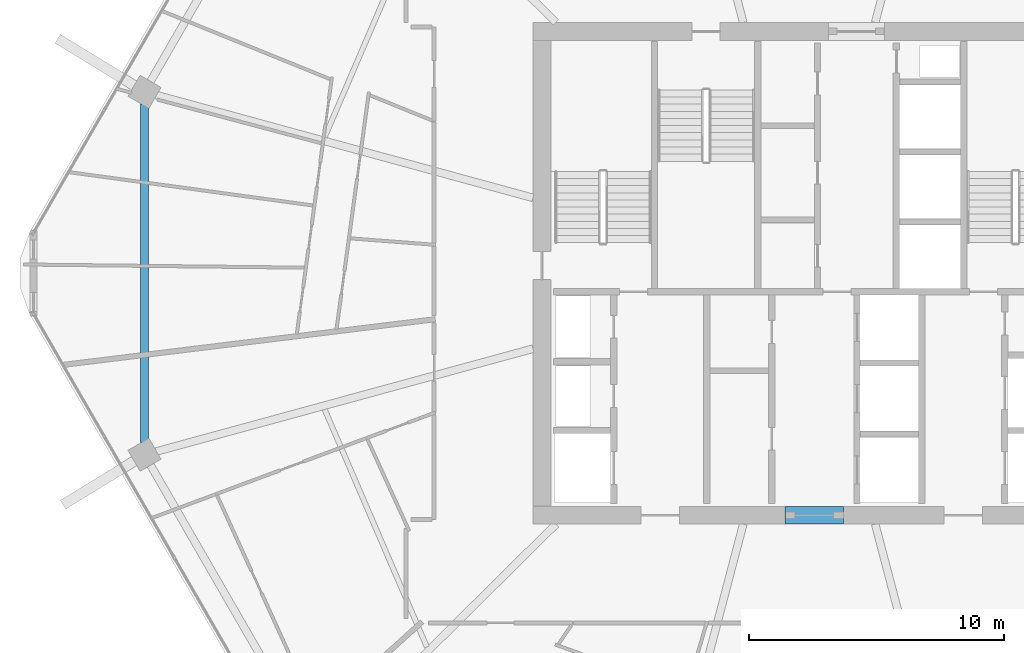
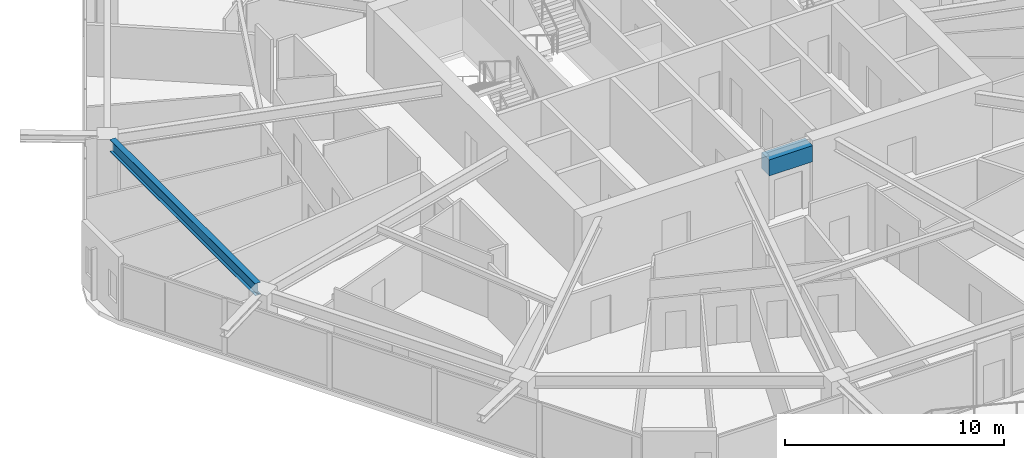
# One storey, part 6 of 25: 2 beams.
"""IFC4 building model written with IfcOpenShell, lengths in metres."""

from ifc_helpers import new_model, si_unit, direction, frame, origin, origin_2d, place, context, subcontext, project, spatial, rectangle, i_section, extrude, material, material_profile, profile_set, type_object, element, save


model = new_model("IFC4")

# Units and contexts
model_context = context("Model", 3, precision=1e-05, world=origin(), true_north=direction((0.0, 1.0)))
body_context = subcontext(model_context, "Body", "Model", "MODEL_VIEW")
ifc_project = project(units=[si_unit("LENGTHUNIT", "METRE"), si_unit("AREAUNIT", "SQUARE_METRE"), si_unit("VOLUMEUNIT", "CUBIC_METRE"), si_unit("PLANEANGLEUNIT", "RADIAN"), si_unit("MASSUNIT", "GRAM", prefix="KILO")], contexts=[model_context])

# Site, building, storey
site_placement = place(None, origin())
site = spatial("IfcSite", under=ifc_project, at=site_placement, CompositionType="ELEMENT")
building_placement = place(site_placement, origin())
building = spatial("IfcBuilding", under=site, at=building_placement, Name="Zuhravey Tower", CompositionType="ELEMENT")
storey_placement = place(building_placement, frame((0.0, 0.0, 196.0)))
storey = spatial("IfcBuildingStorey", under=building, at=storey_placement, Name="L49", CompositionType="ELEMENT", Elevation=196.0)

# Beams
ifc_material_1 = material(Name="Concrete C60/75", Category="concrete")
ifc_material_profile_1 = material_profile(ifc_material_1, rectangle(XDim=0.699951171875, YDim=0.89990234375, at=origin_2d()), Name="RC-700x900")
ifc_profile_set_1 = profile_set([ifc_material_profile_1], Name="Concrete C60/75")
beam_type_1 = type_object("IfcBeamType", Name="Core Coupling Beam RC700x900", PredefinedType="LINTEL", material=ifc_profile_set_1)
beam_1_placement = place(storey_placement, frame((35.052001953125, 22.5, 3.10009765625), z_axis=(1.0, 0.0, 0.0), x_axis=(0.0, 1.0, 0.0)))
element("IfcBeam", 1, at=beam_1_placement, inside=storey, type_object=beam_type_1, Name="L49 CB1 BM-L49-CB-S", PredefinedType="LINTEL", context=body_context, shape_type="SweptSolid", body=[
    extrude(rectangle(XDim=0.699951171875, YDim=0.89990234375, at=origin_2d()), origin(), (0.0, 0.0, 1.0), 2.2958984375),
])
ifc_material_2 = material(Name="Steel SM355", Category="steel")
ifc_material_profile_2 = material_profile(ifc_material_2, i_section(OverallWidth=0.300048828125, OverallDepth=0.679931640625, WebThickness=0.012939453125, FlangeThickness=0.02197265625, at=origin_2d()), Name="H-680x300x13x22")
ifc_profile_set_2 = profile_set([ifc_material_profile_2], Name="Steel SM355")
beam_type_2 = type_object("IfcBeamType", Name="Perimeter Ring Beam H680x300", PredefinedType="BEAM", material=ifc_profile_set_2)
beam_2_placement = place(storey_placement, frame((9.892333984375, 38.6484375, 3.2099609375), z_axis=(0.0, -1.0, 0.0), x_axis=(1.0, 0.0, 0.0)))
element("IfcBeam", 2, at=beam_2_placement, inside=storey, type_object=beam_type_2, Name="L49 PB2 BM-L49-PB-06", PredefinedType="BEAM", context=body_context, shape_type="SweptSolid", body=[
    extrude(i_section(OverallWidth=0.300048828125, OverallDepth=0.679931640625, WebThickness=0.012939453125, FlangeThickness=0.02197265625, at=origin_2d()), origin(), (0.0, 0.0, 1.0), 13.296875),
])

save(model, "model.ifc")
